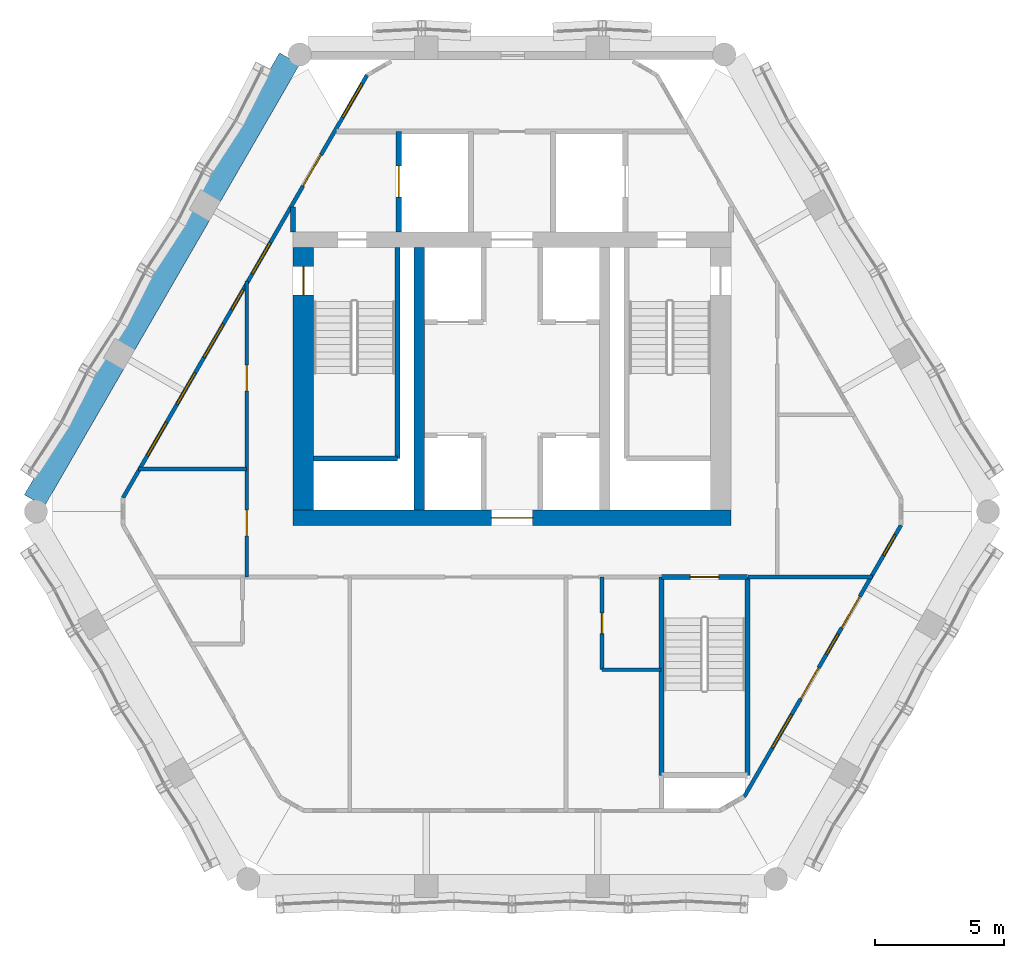
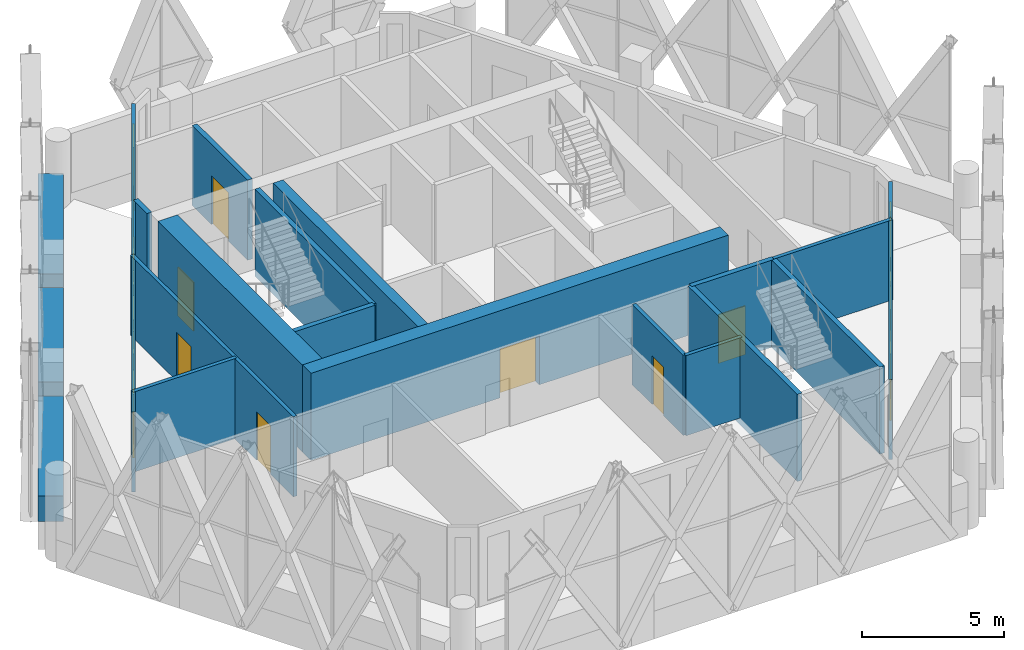
# One storey, part 19 of 27: 20 walls, 10 doors, 9 windows, 19 openings.
"""IFC4 building model written with IfcOpenShell, lengths in metres."""

from ifc_helpers import new_model, si_unit, direction, frame, frame_2d, origin, place, context, subcontext, project, spatial, rectangle, extrude, material, layer, layer_set, type_object, element, fill, save


model = new_model("IFC4")

# Units and contexts
model_context = context("Model", 3, precision=1e-05, world=origin(), true_north=direction((0.0, 1.0)))
body_context = subcontext(model_context, "Body", "Model", "MODEL_VIEW")
ifc_project = project(units=[si_unit("LENGTHUNIT", "METRE"), si_unit("AREAUNIT", "SQUARE_METRE"), si_unit("VOLUMEUNIT", "CUBIC_METRE"), si_unit("PLANEANGLEUNIT", "RADIAN"), si_unit("MASSUNIT", "GRAM", prefix="KILO")], contexts=[model_context])

# Site, building, storey
site_placement = place(None, origin())
site = spatial("IfcSite", under=ifc_project, at=site_placement, CompositionType="ELEMENT")
building_placement = place(site_placement, origin())
building = spatial("IfcBuilding", under=site, at=building_placement, Name="Ostrander Bayou Hotel Tower", CompositionType="ELEMENT")
storey_placement = place(building_placement, frame((0.0, 0.0, 267.5)))
storey = spatial("IfcBuildingStorey", under=building, at=storey_placement, Name="L66", CompositionType="ELEMENT", Elevation=267.5)

# Wall, opening, door
ifc_material_1 = material(Name="Concrete f'c 60 MPa", Category="concrete")
ifc_layer_1 = layer(ifc_material_1, 0.60009765625)
ifc_layer_set_1 = layer_set([ifc_layer_1], Name="CW10 core wall 600 mm f'c 60 MPa")
wall_type_1 = type_object("IfcWallType", Name="CW10 core wall 600 mm f'c 60 MPa", PredefinedType="SHEAR", material=ifc_layer_set_1)
wall_1_placement = place(storey_placement, frame((-8.5, -1.39990234375, -0.300048828125), z_axis=(0.0, 0.0, 1.0), x_axis=(1.0, 0.0, 0.0)))
wall_1 = element("IfcWall", 1, at=wall_1_placement, inside=storey, type_object=wall_type_1, Name="CW10 L66 S", PredefinedType="SHEAR", context=body_context, shape_type="SweptSolid", body=[
    extrude(rectangle(XDim=17.0, YDim=0.60009765625, at=frame_2d((8.5, 0.0))), origin(), (0.0, 0.0, 1.0), 3.75),
])
opening_1_placement = place(wall_1_placement, frame((7.699951171875, 0.0, 0.0)))
opening_1 = element("IfcOpeningElement", 2, at=opening_1_placement, cuts=wall_1, Name="Opening T66-005", PredefinedType="OPENING", context=body_context, shape_type="SweptSolid", body=[
    extrude(rectangle(XDim=1.60009765625, YDim=2.10009765625, at=frame_2d((0.800048828125, 1.050048828125))), frame((0.0, 0.300048828125, 0.0), z_axis=(0.0, -1.0, 0.0), x_axis=(1.0, 0.0, 0.0)), (0.0, 0.0, 1.0), 0.60009765625),
])
ifc_material_2 = material(Name="Timber door leaf", Category="wood")
door_type_1 = type_object("IfcDoorType", Name="D13 double door 1600 x 2100 mm, 1 hour", OperationType="SINGLE_SWING_LEFT", PredefinedType="DOOR", material=ifc_material_2)
door_1_placement = place(opening_1_placement, origin())
door_1 = element("IfcDoor", 3, at=door_1_placement, inside=storey, type_object=door_type_1, Name="dr:L66:005", OperationType="DOUBLE_DOOR_SINGLE_SWING", OverallHeight=2.10009765625, OverallWidth=1.60009765625, PredefinedType="DOOR", context=body_context, shape_type="SweptSolid", body=[
    extrude(rectangle(XDim=1.60009765625, YDim=2.10009765625, at=frame_2d((0.800048828125, 1.050048828125))), frame((0.0, 0.02490234375, 0.0), z_axis=(0.0, -1.0, 0.0), x_axis=(1.0, 0.0, 0.0)), (0.0, 0.0, 1.0), 0.050048828125),
])
fill(opening_1, door_1)

ifc_material_3 = material(Name="Concrete f'c 60 MPa", Category="concrete")
ifc_layer_2 = layer(ifc_material_3, 0.800048828125)
ifc_layer_set_2 = layer_set([ifc_layer_2], Name="CW11 core spine wall 800 mm f'c 60 MPa")
wall_type_2 = type_object("IfcWallType", Name="CW11 core spine wall 800 mm f'c 60 MPa", PredefinedType="SHEAR", material=ifc_layer_set_2)
wall_2_placement = place(storey_placement, frame((-8.10009765625, -1.10009765625, -0.300048828125), z_axis=(0.0, 0.0, 1.0), x_axis=(0.0, 1.0, 0.0)))
wall_2 = element("IfcWall", 4, at=wall_2_placement, inside=storey, type_object=wall_type_2, Name="CW11 L66 W", PredefinedType="SHEAR", context=body_context, shape_type="SweptSolid", body=[
    extrude(rectangle(XDim=10.2001953125, YDim=0.800048828125, at=frame_2d((5.10009765625, 0.0))), origin(), (0.0, 0.0, 1.0), 3.75),
])
opening_2_placement = place(wall_2_placement, frame((8.35009765625, 0.0, 0.0)))
opening_2 = element("IfcOpeningElement", 5, at=opening_2_placement, cuts=wall_2, Name="Opening T66-008", PredefinedType="OPENING", context=body_context, shape_type="SweptSolid", body=[
    extrude(rectangle(XDim=1.10009765625, YDim=2.10009765625, at=frame_2d((0.550048828125, 1.050048828125))), frame((0.0, 0.39990234375, 0.0), z_axis=(0.0, -1.0, 0.0), x_axis=(1.0, 0.0, 0.0)), (0.0, 0.0, 1.0), 0.800048828125),
])
ifc_material_4 = material(Name="Timber door leaf", Category="wood")
door_type_2 = type_object("IfcDoorType", Name="D5 stair door 1100 x 2100 mm, 90 minute", OperationType="SINGLE_SWING_LEFT", PredefinedType="DOOR", material=ifc_material_4)
door_2_placement = place(opening_2_placement, origin())
door_2 = element("IfcDoor", 6, at=door_2_placement, inside=storey, type_object=door_type_2, Name="dr:L66:008", OperationType="SINGLE_SWING_RIGHT", OverallHeight=2.10009765625, OverallWidth=1.10009765625, PredefinedType="DOOR", context=body_context, shape_type="SweptSolid", body=[
    extrude(rectangle(XDim=1.10009765625, YDim=2.10009765625, at=frame_2d((0.550048828125, 1.050048828125))), frame((0.0, 0.02490234375, 0.0), z_axis=(0.0, -1.0, 0.0), x_axis=(1.0, 0.0, 0.0)), (0.0, 0.0, 1.0), 0.050048828125),
])
fill(opening_2, door_2)

# Wall
ifc_material_5 = material(Name="Concrete f'c 60 MPa", Category="concrete")
ifc_layer_3 = layer(ifc_material_5, 0.39990234375)
ifc_layer_set_3 = layer_set([ifc_layer_3], Name="CW12 core bank wall 400 mm f'c 60 MPa")
wall_type_3 = type_object("IfcWallType", Name="CW12 core bank wall 400 mm f'c 60 MPa", PredefinedType="SHEAR", material=ifc_layer_set_3)
wall_3_placement = place(storey_placement, frame((-3.60009765625, -1.10009765625, -0.300048828125), z_axis=(0.0, 0.0, 1.0), x_axis=(0.0, 1.0, 0.0)))
element("IfcWall", 7, at=wall_3_placement, inside=storey, type_object=wall_type_3, Name="CW12 L66 CW", PredefinedType="SHEAR", context=body_context, shape_type="SweptSolid", body=[
    extrude(rectangle(XDim=10.2001953125, YDim=0.39990234375, at=frame_2d((5.10009765625, 0.0))), origin(), (0.0, 0.0, 1.0), 3.75),
])

# Wall, openings, door, windows
ifc_material_6 = material(Name="Aluminium framed insulated wall", Category="aluminium")
ifc_layer_4 = layer(ifc_material_6, 0.14990234375)
ifc_layer_set_4 = layer_set([ifc_layer_4], Name="GW1 glass-line wall 150 mm")
wall_type_4 = type_object("IfcWallType", Name="GW1 glass-line wall 150 mm", PredefinedType="SOLIDWALL", material=ifc_layer_set_4)
wall_4_placement = place(storey_placement, frame((-5.6259765625, 15.79248046875, 0.0), z_axis=(0.0, 0.0, 1.0), x_axis=(-0.499998195608, -0.866026445548, 0.0)))
wall_4 = element("IfcWall", 8, at=wall_4_placement, inside=storey, type_object=wall_type_4, Name="GW1 L66 NW 1", PredefinedType="SOLIDWALL", context=body_context, shape_type="SweptSolid", body=[
    extrude(rectangle(XDim=18.9560546875, YDim=0.14990234375, at=frame_2d((9.47802734375, 0.0))), origin(), (0.0, 0.0, 1.0), 3.449951171875),
])
opening_3_placement = place(wall_4_placement, frame((3.577392578125, 0.0, 0.0)))
opening_3 = element("IfcOpeningElement", 9, at=opening_3_placement, cuts=wall_4, Name="Opening T66-800", PredefinedType="OPENING", context=body_context, shape_type="SweptSolid", body=[
    extrude(rectangle(XDim=1.39990234375, YDim=2.39990234375, at=frame_2d((0.699951171875, 1.199951171875))), frame((0.0, 0.074951171875, 0.0), z_axis=(0.0, -1.0, 0.0), x_axis=(1.0, 0.0, 0.0)), (0.0, 0.0, 1.0), 0.14990234375),
])
opening_4_placement = place(wall_4_placement, frame((9.6201171875, 0.0, 0.14990234375)))
opening_4 = element("IfcOpeningElement", 10, at=opening_4_placement, cuts=wall_4, Name="Opening W18", PredefinedType="OPENING", context=body_context, shape_type="SweptSolid", body=[
    extrude(rectangle(XDim=0.89990234375, YDim=2.85009765625, at=frame_2d((0.449951171875, 1.425048828125))), frame((0.0, 0.074951171875, 0.0), z_axis=(0.0, -1.0, 0.0), x_axis=(1.0, 0.0, 0.0)), (0.0, 0.0, 1.0), 0.14990234375),
])
opening_5_placement = place(wall_4_placement, frame((7.52001953125, 0.0, 0.14990234375)))
opening_5 = element("IfcOpeningElement", 11, at=opening_5_placement, cuts=wall_4, Name="Opening W14", PredefinedType="OPENING", context=body_context, shape_type="SweptSolid", body=[
    extrude(rectangle(XDim=1.39990234375, YDim=2.85009765625, at=frame_2d((0.699951171875, 1.425048828125))), frame((0.0, 0.074951171875, 0.0), z_axis=(0.0, -1.0, 0.0), x_axis=(1.0, 0.0, 0.0)), (0.0, 0.0, 1.0), 0.14990234375),
])
opening_6_placement = place(wall_4_placement, frame((11.163818359375, 0.0, 0.14990234375)))
opening_6 = element("IfcOpeningElement", 12, at=opening_6_placement, cuts=wall_4, Name="Opening W4", PredefinedType="OPENING", context=body_context, shape_type="SweptSolid", body=[
    extrude(rectangle(XDim=1.5, YDim=2.85009765625, at=frame_2d((0.75, 1.425048828125))), frame((0.0, 0.074951171875, 0.0), z_axis=(0.0, -1.0, 0.0), x_axis=(1.0, 0.0, 0.0)), (0.0, 0.0, 1.0), 0.14990234375),
])
opening_7_placement = place(wall_4_placement, frame((13.36376953125, 0.0, 0.14990234375)))
opening_7 = element("IfcOpeningElement", 13, at=opening_7_placement, cuts=wall_4, Name="Opening W14", PredefinedType="OPENING", context=body_context, shape_type="SweptSolid", body=[
    extrude(rectangle(XDim=1.39990234375, YDim=2.85009765625, at=frame_2d((0.699951171875, 1.425048828125))), frame((0.0, 0.074951171875, 0.0), z_axis=(0.0, -1.0, 0.0), x_axis=(1.0, 0.0, 0.0)), (0.0, 0.0, 1.0), 0.14990234375),
])
opening_8_placement = place(wall_4_placement, frame((0.39404296875, 0.0, 0.14990234375)))
opening_8 = element("IfcOpeningElement", 14, at=opening_8_placement, cuts=wall_4, Name="Opening W4", PredefinedType="OPENING", context=body_context, shape_type="SweptSolid", body=[
    extrude(rectangle(XDim=1.5, YDim=2.72998046875, at=frame_2d((0.75, 1.364990234375))), frame((0.0, 0.074951171875, 0.0), z_axis=(0.0, -1.0, 0.0), x_axis=(1.0, 0.0, 0.0)), (0.0, 0.0, 1.0), 0.14990234375),
])
opening_9_placement = place(wall_4_placement, frame((15.573974609375, 0.0, 0.14990234375)))
opening_9 = element("IfcOpeningElement", 15, at=opening_9_placement, cuts=wall_4, Name="Opening W4", PredefinedType="OPENING", context=body_context, shape_type="SweptSolid", body=[
    extrude(rectangle(XDim=1.5, YDim=2.72998046875, at=frame_2d((0.75, 1.364990234375))), frame((0.0, 0.074951171875, 0.0), z_axis=(0.0, -1.0, 0.0), x_axis=(1.0, 0.0, 0.0)), (0.0, 0.0, 1.0), 0.14990234375),
])
ifc_material_7 = material(Name="Aluminium and clear glass", Category="aluminium")
door_type_3 = type_object("IfcDoorType", Name="SD4 sliding glass door 1400 mm, zone 4", OperationType="SLIDING_TO_LEFT", PredefinedType="DOOR", material=ifc_material_7)
door_3_placement = place(opening_3_placement, origin())
door_3 = element("IfcDoor", 16, at=door_3_placement, inside=storey, type_object=door_type_3, Name="SD4 L66 NW 1", OperationType="SLIDING_TO_LEFT", OverallHeight=2.39990234375, OverallWidth=1.39990234375, PredefinedType="DOOR", context=body_context, shape_type="SweptSolid", body=[
    extrude(rectangle(XDim=1.39990234375, YDim=2.39990234375, at=frame_2d((0.699951171875, 1.199951171875))), frame((0.0, 0.02490234375, 0.0), z_axis=(0.0, -1.0, 0.0), x_axis=(1.0, 0.0, 0.0)), (0.0, 0.0, 1.0), 0.050048828125),
])
fill(opening_3, door_3)
ifc_material_8 = material(Name="Aluminium and clear glass", Category="aluminium")
window_type_1 = type_object("IfcWindowType", Name="W14 fixed window 1400 mm, bath bay, zone 4", PartitioningType="SINGLE_PANEL", PredefinedType="WINDOW", material=ifc_material_8)
window_1_placement = place(opening_5_placement, origin())
window_1 = element("IfcWindow", 17, at=window_1_placement, inside=storey, type_object=window_type_1, Name="W14 L66 NW 2", OverallHeight=2.85009765625, OverallWidth=1.39990234375, PartitioningType="SINGLE_PANEL", PredefinedType="WINDOW", context=body_context, shape_type="SweptSolid", body=[
    extrude(rectangle(XDim=1.39990234375, YDim=2.85009765625, at=frame_2d((0.699951171875, 1.425048828125))), frame((0.0, 0.030029296875, 0.0), z_axis=(0.0, -1.0, 0.0), x_axis=(1.0, 0.0, 0.0)), (0.0, 0.0, 1.0), 0.06005859375),
])
fill(opening_5, window_1)
window_2_placement = place(opening_7_placement, origin())
window_2 = element("IfcWindow", 18, at=window_2_placement, inside=storey, type_object=window_type_1, Name="W14 L66 NW 3", OverallHeight=2.85009765625, OverallWidth=1.39990234375, PartitioningType="SINGLE_PANEL", PredefinedType="WINDOW", context=body_context, shape_type="SweptSolid", body=[
    extrude(rectangle(XDim=1.39990234375, YDim=2.85009765625, at=frame_2d((0.699951171875, 1.425048828125))), frame((0.0, 0.030029296875, 0.0), z_axis=(0.0, -1.0, 0.0), x_axis=(1.0, 0.0, 0.0)), (0.0, 0.0, 1.0), 0.06005859375),
])
fill(opening_7, window_2)
ifc_material_9 = material(Name="Aluminium and clear glass", Category="aluminium")
window_type_2 = type_object("IfcWindowType", Name="W18 window 900 mm, zone 4", PartitioningType="SINGLE_PANEL", PredefinedType="WINDOW", material=ifc_material_9)
window_3_placement = place(opening_4_placement, origin())
window_3 = element("IfcWindow", 19, at=window_3_placement, inside=storey, type_object=window_type_2, Name="W18 L66 NW 2", OverallHeight=2.85009765625, OverallWidth=0.89990234375, PartitioningType="SINGLE_PANEL", PredefinedType="WINDOW", context=body_context, shape_type="SweptSolid", body=[
    extrude(rectangle(XDim=0.89990234375, YDim=2.85009765625, at=frame_2d((0.449951171875, 1.425048828125))), frame((0.0, 0.030029296875, 0.0), z_axis=(0.0, -1.0, 0.0), x_axis=(1.0, 0.0, 0.0)), (0.0, 0.0, 1.0), 0.06005859375),
])
fill(opening_4, window_3)
ifc_material_10 = material(Name="Aluminium and clear glass", Category="aluminium")
window_type_3 = type_object("IfcWindowType", Name="W4 fixed window 1500 mm, zone 4", PartitioningType="SINGLE_PANEL", PredefinedType="WINDOW", material=ifc_material_10)
window_4_placement = place(opening_6_placement, origin())
window_4 = element("IfcWindow", 20, at=window_4_placement, inside=storey, type_object=window_type_3, Name="W4 L66 NW 3", OverallHeight=2.85009765625, OverallWidth=1.5, PartitioningType="SINGLE_PANEL", PredefinedType="WINDOW", context=body_context, shape_type="SweptSolid", body=[
    extrude(rectangle(XDim=1.5, YDim=2.85009765625, at=frame_2d((0.75, 1.425048828125))), frame((0.0, 0.030029296875, 0.0), z_axis=(0.0, -1.0, 0.0), x_axis=(1.0, 0.0, 0.0)), (0.0, 0.0, 1.0), 0.06005859375),
])
fill(opening_6, window_4)
window_5_placement = place(opening_8_placement, origin())
window_5 = element("IfcWindow", 21, at=window_5_placement, inside=storey, type_object=window_type_3, Name="W4 L66 NW E11", OverallHeight=2.72998046875, OverallWidth=1.5, PartitioningType="SINGLE_PANEL", PredefinedType="WINDOW", context=body_context, shape_type="SweptSolid", body=[
    extrude(rectangle(XDim=1.5, YDim=2.72998046875, at=frame_2d((0.75, 1.364990234375))), frame((0.0, 0.030029296875, 0.0), z_axis=(0.0, -1.0, 0.0), x_axis=(1.0, 0.0, 0.0)), (0.0, 0.0, 1.0), 0.06005859375),
])
fill(opening_8, window_5)
window_6_placement = place(opening_9_placement, origin())
window_6 = element("IfcWindow", 22, at=window_6_placement, inside=storey, type_object=window_type_3, Name="W4 L66 NW E21", OverallHeight=2.72998046875, OverallWidth=1.5, PartitioningType="SINGLE_PANEL", PredefinedType="WINDOW", context=body_context, shape_type="SweptSolid", body=[
    extrude(rectangle(XDim=1.5, YDim=2.72998046875, at=frame_2d((0.75, 1.364990234375))), frame((0.0, 0.030029296875, 0.0), z_axis=(0.0, -1.0, 0.0), x_axis=(1.0, 0.0, 0.0)), (0.0, 0.0, 1.0), 0.06005859375),
])
fill(opening_9, window_6)

# Wall, openings, doors, windows
wall_5_placement = place(storey_placement, frame((9.0146484375, -12.236083984375, 0.0), z_axis=(0.0, 0.0, 1.0), x_axis=(0.499998361514, 0.866026349763, 0.0)))
wall_5 = element("IfcWall", 23, at=wall_5_placement, inside=storey, type_object=wall_type_4, Name="GW1 L66 SE 1", PredefinedType="SOLIDWALL", context=body_context, shape_type="SweptSolid", body=[
    extrude(rectangle(XDim=12.1787109375, YDim=0.14990234375, at=frame_2d((6.08935546875, 0.0))), origin(), (0.0, 0.0, 1.0), 3.449951171875),
])
opening_10_placement = place(wall_5_placement, frame((2.189453125, 0.0, 0.14990234375)))
opening_10 = element("IfcOpeningElement", 24, at=opening_10_placement, cuts=wall_5, Name="Opening W4", PredefinedType="OPENING", context=body_context, shape_type="SweptSolid", body=[
    extrude(rectangle(XDim=1.5, YDim=2.85009765625, at=frame_2d((0.75, 1.425048828125))), frame((0.0, 0.074951171875, 0.0), z_axis=(0.0, -1.0, 0.0), x_axis=(1.0, 0.0, 0.0)), (0.0, 0.0, 1.0), 0.14990234375),
])
opening_11_placement = place(wall_5_placement, frame((4.389404296875, 0.0, 0.0)))
opening_11 = element("IfcOpeningElement", 25, at=opening_11_placement, cuts=wall_5, Name="Opening T66-803", PredefinedType="OPENING", context=body_context, shape_type="SweptSolid", body=[
    extrude(rectangle(XDim=1.39990234375, YDim=2.39990234375, at=frame_2d((0.699951171875, 1.199951171875))), frame((0.0, 0.074951171875, 0.0), z_axis=(0.0, -1.0, 0.0), x_axis=(1.0, 0.0, 0.0)), (0.0, 0.0, 1.0), 0.14990234375),
])
opening_12_placement = place(wall_5_placement, frame((6.389404296875, 0.0, 0.14990234375)))
opening_12 = element("IfcOpeningElement", 26, at=opening_12_placement, cuts=wall_5, Name="Opening W18", PredefinedType="OPENING", context=body_context, shape_type="SweptSolid", body=[
    extrude(rectangle(XDim=0.89990234375, YDim=2.85009765625, at=frame_2d((0.449951171875, 1.425048828125))), frame((0.0, 0.074951171875, 0.0), z_axis=(0.0, -1.0, 0.0), x_axis=(1.0, 0.0, 0.0)), (0.0, 0.0, 1.0), 0.14990234375),
])
opening_13_placement = place(wall_5_placement, frame((7.58251953125, 0.0, 0.0)))
opening_13 = element("IfcOpeningElement", 27, at=opening_13_placement, cuts=wall_5, Name="Opening T66-804", PredefinedType="OPENING", context=body_context, shape_type="SweptSolid", body=[
    extrude(rectangle(XDim=1.39990234375, YDim=2.39990234375, at=frame_2d((0.699951171875, 1.199951171875))), frame((0.0, 0.074951171875, 0.0), z_axis=(0.0, -1.0, 0.0), x_axis=(1.0, 0.0, 0.0)), (0.0, 0.0, 1.0), 0.14990234375),
])
opening_14_placement = place(wall_5_placement, frame((10.833984375, 0.0, 0.14990234375)))
opening_14 = element("IfcOpeningElement", 28, at=opening_14_placement, cuts=wall_5, Name="Opening W18", PredefinedType="OPENING", context=body_context, shape_type="SweptSolid", body=[
    extrude(rectangle(XDim=0.89990234375, YDim=2.72998046875, at=frame_2d((0.449951171875, 1.364990234375))), frame((0.0, 0.074951171875, 0.0), z_axis=(0.0, -1.0, 0.0), x_axis=(1.0, 0.0, 0.0)), (0.0, 0.0, 1.0), 0.14990234375),
])
door_4_placement = place(opening_11_placement, origin())
door_4 = element("IfcDoor", 29, at=door_4_placement, inside=storey, type_object=door_type_3, Name="SD4 L66 SE 1", OperationType="SLIDING_TO_LEFT", OverallHeight=2.39990234375, OverallWidth=1.39990234375, PredefinedType="DOOR", context=body_context, shape_type="SweptSolid", body=[
    extrude(rectangle(XDim=1.39990234375, YDim=2.39990234375, at=frame_2d((0.699951171875, 1.199951171875))), frame((0.0, 0.02490234375, 0.0), z_axis=(0.0, -1.0, 0.0), x_axis=(1.0, 0.0, 0.0)), (0.0, 0.0, 1.0), 0.050048828125),
])
fill(opening_11, door_4)
door_5_placement = place(opening_13_placement, origin())
door_5 = element("IfcDoor", 30, at=door_5_placement, inside=storey, type_object=door_type_3, Name="SD4 L66 SE 2", OperationType="SLIDING_TO_RIGHT", OverallHeight=2.39990234375, OverallWidth=1.39990234375, PredefinedType="DOOR", context=body_context, shape_type="SweptSolid", body=[
    extrude(rectangle(XDim=1.39990234375, YDim=2.39990234375, at=frame_2d((0.699951171875, 1.199951171875))), frame((0.0, 0.02490234375, 0.0), z_axis=(0.0, -1.0, 0.0), x_axis=(1.0, 0.0, 0.0)), (0.0, 0.0, 1.0), 0.050048828125),
])
fill(opening_13, door_5)
window_7_placement = place(opening_12_placement, origin())
window_7 = element("IfcWindow", 31, at=window_7_placement, inside=storey, type_object=window_type_2, Name="W18 L66 SE 2", OverallHeight=2.85009765625, OverallWidth=0.89990234375, PartitioningType="SINGLE_PANEL", PredefinedType="WINDOW", context=body_context, shape_type="SweptSolid", body=[
    extrude(rectangle(XDim=0.89990234375, YDim=2.85009765625, at=frame_2d((0.449951171875, 1.425048828125))), frame((0.0, 0.030029296875, 0.0), z_axis=(0.0, -1.0, 0.0), x_axis=(1.0, 0.0, 0.0)), (0.0, 0.0, 1.0), 0.06005859375),
])
fill(opening_12, window_7)
window_8_placement = place(opening_14_placement, origin())
window_8 = element("IfcWindow", 32, at=window_8_placement, inside=storey, type_object=window_type_2, Name="W18 L66 SE E21", OverallHeight=2.72998046875, OverallWidth=0.89990234375, PartitioningType="SINGLE_PANEL", PredefinedType="WINDOW", context=body_context, shape_type="SweptSolid", body=[
    extrude(rectangle(XDim=0.89990234375, YDim=2.72998046875, at=frame_2d((0.449951171875, 1.364990234375))), frame((0.0, 0.030029296875, 0.0), z_axis=(0.0, -1.0, 0.0), x_axis=(1.0, 0.0, 0.0)), (0.0, 0.0, 1.0), 0.06005859375),
])
fill(opening_14, window_8)
window_9_placement = place(opening_10_placement, origin())
window_9 = element("IfcWindow", 33, at=window_9_placement, inside=storey, type_object=window_type_3, Name="W4 L66 SE 1", OverallHeight=2.85009765625, OverallWidth=1.5, PartitioningType="SINGLE_PANEL", PredefinedType="WINDOW", context=body_context, shape_type="SweptSolid", body=[
    extrude(rectangle(XDim=1.5, YDim=2.85009765625, at=frame_2d((0.75, 1.425048828125))), frame((0.0, 0.030029296875, 0.0), z_axis=(0.0, -1.0, 0.0), x_axis=(1.0, 0.0, 0.0)), (0.0, 0.0, 1.0), 0.06005859375),
])
fill(opening_10, window_9)

# Walls
ifc_material_11 = material(Name="Concrete f'c 40 MPa", Category="concrete")
ifc_layer_5 = layer(ifc_material_11, 0.89990234375)
ifc_layer_set_5 = layer_set([ifc_layer_5], Name="PA1 stone-faced parapet 900 mm")
wall_type_5 = type_object("IfcWallType", Name="PA1 stone-faced parapet 900 mm", PredefinedType="PARAPET", material=ifc_layer_set_5)
wall_6_placement = place(storey_placement, frame((-8.63671875, 16.427978515625, 0.0), z_axis=(0.0, 0.0, 1.0), x_axis=(-0.499984362083, -0.866034432152, 0.0)))
element("IfcWall", 34, at=wall_6_placement, inside=storey, type_object=wall_type_5, Name="PA1 L66 NW-1", PredefinedType="PARAPET", context=body_context, shape_type="SweptSolid", body=[
    extrude(rectangle(XDim=6.159423828125, YDim=0.89990234375, at=frame_2d((3.07958984375, 0.0))), origin(), (0.0, 0.0, 1.0), 1.10009765625),
])
wall_7_placement = place(storey_placement, frame((-12.13623046875, 10.366455078125, 0.0), z_axis=(0.0, 0.0, 1.0), x_axis=(-0.499997265274, -0.866026982673, 0.0)))
element("IfcWall", 35, at=wall_7_placement, inside=storey, type_object=wall_type_5, Name="PA1 L66 NW-2", PredefinedType="PARAPET", context=body_context, shape_type="SweptSolid", body=[
    extrude(rectangle(XDim=5.81884765625, YDim=0.89990234375, at=frame_2d((2.909423828125, 0.0))), origin(), (0.0, 0.0, 1.0), 1.10009765625),
])
wall_8_placement = place(storey_placement, frame((-15.4658203125, 4.599609375, 0.0), z_axis=(0.0, 0.0, 1.0), x_axis=(-0.499984362083, -0.866034432152, 0.0)))
element("IfcWall", 36, at=wall_8_placement, inside=storey, type_object=wall_type_5, Name="PA1 L66 NW-3", PredefinedType="PARAPET", context=body_context, shape_type="SweptSolid", body=[
    extrude(rectangle(XDim=6.159423828125, YDim=0.89990234375, at=frame_2d((3.07958984375, 0.0))), origin(), (0.0, 0.0, 1.0), 1.10009765625),
])
ifc_material_12 = material(Name="Masonry block", Category="masonry")
ifc_layer_6 = layer(ifc_material_12, 0.199951171875)
ifc_layer_set_6 = layer_set([ifc_layer_6], Name="PT5 stair enclosure wall 200 mm masonry, 2 hour")
wall_type_6 = type_object("IfcWallType", Name="PT5 stair enclosure wall 200 mm masonry, 2 hour", PredefinedType="PARTITIONING", material=ifc_layer_set_6)
wall_9_placement = place(storey_placement, frame((-8.5, 9.699951171875, 0.0), z_axis=(0.0, 0.0, 1.0), x_axis=(0.0, 1.0, 0.0)))
element("IfcWall", 37, at=wall_9_placement, inside=storey, type_object=wall_type_6, Name="cs:L66:019", PredefinedType="PARTITIONING", context=body_context, shape_type="SweptSolid", body=[
    extrude(rectangle(XDim=0.964599609375, YDim=0.199951171875, at=frame_2d((0.482421875, 0.0))), origin(), (0.0, 0.0, 1.0), 3.449951171875),
])

# Wall, opening, door
wall_10_placement = place(storey_placement, frame((-4.39990234375, 9.699951171875, 0.0), z_axis=(0.0, 0.0, 1.0), x_axis=(0.0, 1.0, 0.0)))
wall_10 = element("IfcWall", 38, at=wall_10_placement, inside=storey, type_object=wall_type_6, Name="cs:L66:021", PredefinedType="PARTITIONING", context=body_context, shape_type="SweptSolid", body=[
    extrude(rectangle(XDim=3.900146484375, YDim=0.199951171875, at=frame_2d((1.9501953125, 0.0))), origin(), (0.0, 0.0, 1.0), 3.449951171875),
])
opening_15_placement = place(wall_10_placement, frame((1.35009765625, 0.0, 0.0)))
opening_15 = element("IfcOpeningElement", 39, at=opening_15_placement, cuts=wall_10, Name="Opening T66-012", PredefinedType="OPENING", context=body_context, shape_type="SweptSolid", body=[
    extrude(rectangle(XDim=1.199951171875, YDim=2.10009765625, at=frame_2d((0.60009765625, 1.050048828125))), frame((0.0, 0.10009765625, 0.0), z_axis=(0.0, -1.0, 0.0), x_axis=(1.0, 0.0, 0.0)), (0.0, 0.0, 1.0), 0.199951171875),
])
ifc_material_13 = material(Name="Stainless steel sliding door", Category="steel")
door_type_4 = type_object("IfcDoorType", Name="LD1 lift landing door 1200 x 2100 mm", OperationType="SINGLE_SWING_LEFT", PredefinedType="DOOR", material=ifc_material_13)
door_6_placement = place(opening_15_placement, origin())
door_6 = element("IfcDoor", 40, at=door_6_placement, inside=storey, type_object=door_type_4, Name="dr:L66:012", OperationType="SLIDING_TO_LEFT", OverallHeight=2.10009765625, OverallWidth=1.199951171875, PredefinedType="DOOR", context=body_context, shape_type="SweptSolid", body=[
    extrude(rectangle(XDim=1.199951171875, YDim=2.10009765625, at=frame_2d((0.60009765625, 1.050048828125))), frame((0.0, 0.02490234375, 0.0), z_axis=(0.0, -1.0, 0.0), x_axis=(1.0, 0.0, 0.0)), (0.0, 0.0, 1.0), 0.050048828125),
])
fill(opening_15, door_6)

# Walls
ifc_material_14 = material(Name="Gypsum board partition", Category="finish")
ifc_layer_7 = layer(ifc_material_14, 0.14990234375)
ifc_layer_set_7 = layer_set([ifc_layer_7], Name="PT8 service band wall 150 mm, 1 hour")
wall_type_7 = type_object("IfcWallType", Name="PT8 service band wall 150 mm, 1 hour", PredefinedType="PARTITIONING", material=ifc_layer_set_7)
wall_11_placement = place(storey_placement, frame((3.5, -7.300048828125, 0.0), z_axis=(0.0, 0.0, 1.0), x_axis=(1.0, 0.0, 0.0)))
element("IfcWall", 41, at=wall_11_placement, inside=storey, type_object=wall_type_7, Name="gw:L66:001", PredefinedType="PARTITIONING", context=body_context, shape_type="SweptSolid", body=[
    extrude(rectangle(XDim=2.2900390625, YDim=0.14990234375, at=frame_2d((1.14501953125, 0.0))), origin(), (0.0, 0.0, 1.0), 3.449951171875),
])
wall_12_placement = place(storey_placement, frame((9.159912109375, -3.699951171875, 0.0), z_axis=(0.0, 0.0, 1.0), x_axis=(1.0, 0.0, 0.0)))
element("IfcWall", 42, at=wall_12_placement, inside=storey, type_object=wall_type_7, Name="gw:L66:004", PredefinedType="PARTITIONING", context=body_context, shape_type="SweptSolid", body=[
    extrude(rectangle(XDim=4.835205078125, YDim=0.14990234375, at=frame_2d((2.41748046875, 0.0))), origin(), (0.0, 0.0, 1.0), 3.449951171875),
])
wall_13_placement = place(storey_placement, frame((-14.507080078125, 0.5, 0.0), z_axis=(0.0, 0.0, 1.0), x_axis=(1.0, 0.0, 0.0)))
element("IfcWall", 43, at=wall_13_placement, inside=storey, type_object=wall_type_7, Name="gw:L66:005", PredefinedType="PARTITIONING", context=body_context, shape_type="SweptSolid", body=[
    extrude(rectangle(XDim=4.20703125, YDim=0.14990234375, at=frame_2d((2.103515625, 0.0))), origin(), (0.0, 0.0, 1.0), 3.449951171875),
])

# Wall, opening, door
wall_14_placement = place(storey_placement, frame((3.5, -7.300048828125, 0.0), z_axis=(0.0, 0.0, 1.0), x_axis=(0.0, 1.0, 0.0)))
wall_14 = element("IfcWall", 44, at=wall_14_placement, inside=storey, type_object=wall_type_7, Name="gw:L66:009", PredefinedType="PARTITIONING", context=body_context, shape_type="SweptSolid", body=[
    extrude(rectangle(XDim=3.60009765625, YDim=0.14990234375, at=frame_2d((1.800048828125, 0.0))), origin(), (0.0, 0.0, 1.0), 3.449951171875),
])
opening_16_placement = place(wall_14_placement, frame((1.39990234375, 0.0, 0.0)))
opening_16 = element("IfcOpeningElement", 45, at=opening_16_placement, cuts=wall_14, Name="Opening T66-404", PredefinedType="OPENING", context=body_context, shape_type="SweptSolid", body=[
    extrude(rectangle(XDim=0.800048828125, YDim=2.10009765625, at=frame_2d((0.39990234375, 1.050048828125))), frame((0.0, 0.074951171875, 0.0), z_axis=(0.0, -1.0, 0.0), x_axis=(1.0, 0.0, 0.0)), (0.0, 0.0, 1.0), 0.14990234375),
])
ifc_material_15 = material(Name="Timber door leaf", Category="wood")
door_type_5 = type_object("IfcDoorType", Name="D2 bathroom door 800 x 2100 mm", OperationType="SINGLE_SWING_LEFT", PredefinedType="DOOR", material=ifc_material_15)
door_7_placement = place(opening_16_placement, origin())
door_7 = element("IfcDoor", 46, at=door_7_placement, inside=storey, type_object=door_type_5, Name="dr:L66:404", OperationType="SINGLE_SWING_RIGHT", OverallHeight=2.10009765625, OverallWidth=0.800048828125, PredefinedType="DOOR", context=body_context, shape_type="SweptSolid", body=[
    extrude(rectangle(XDim=0.800048828125, YDim=2.10009765625, at=frame_2d((0.39990234375, 1.050048828125))), frame((0.0, 0.02490234375, 0.0), z_axis=(0.0, -1.0, 0.0), x_axis=(1.0, 0.0, 0.0)), (0.0, 0.0, 1.0), 0.050048828125),
])
fill(opening_16, door_7)

# Wall, openings, doors
wall_15_placement = place(storey_placement, frame((-10.300048828125, -3.699951171875, 0.0), z_axis=(0.0, 0.0, 1.0), x_axis=(0.0, 1.0, 0.0)))
wall_15 = element("IfcWall", 47, at=wall_15_placement, inside=storey, type_object=wall_type_7, Name="gw:L66:012", PredefinedType="PARTITIONING", context=body_context, shape_type="SweptSolid", body=[
    extrude(rectangle(XDim=11.487060546875, YDim=0.14990234375, at=frame_2d((5.74365234375, 0.0))), origin(), (0.0, 0.0, 1.0), 3.449951171875),
])
opening_17_placement = place(wall_15_placement, frame((1.60009765625, 0.0, 0.0)))
opening_17 = element("IfcOpeningElement", 48, at=opening_17_placement, cuts=wall_15, Name="Opening T66-405", PredefinedType="OPENING", context=body_context, shape_type="SweptSolid", body=[
    extrude(rectangle(XDim=1.0, YDim=2.10009765625, at=frame_2d((0.5, 1.050048828125))), frame((0.0, 0.074951171875, 0.0), z_axis=(0.0, -1.0, 0.0), x_axis=(1.0, 0.0, 0.0)), (0.0, 0.0, 1.0), 0.14990234375),
])
opening_18_placement = place(wall_15_placement, frame((7.221923828125, 0.0, 0.0)))
opening_18 = element("IfcOpeningElement", 49, at=opening_18_placement, cuts=wall_15, Name="Opening T66-406", PredefinedType="OPENING", context=body_context, shape_type="SweptSolid", body=[
    extrude(rectangle(XDim=1.0, YDim=2.10009765625, at=frame_2d((0.5, 1.050048828125))), frame((0.0, 0.074951171875, 0.0), z_axis=(0.0, -1.0, 0.0), x_axis=(1.0, 0.0, 0.0)), (0.0, 0.0, 1.0), 0.14990234375),
])
ifc_material_16 = material(Name="Timber door leaf", Category="wood")
door_type_6 = type_object("IfcDoorType", Name="D15 room door 1000 x 2100 mm", OperationType="SINGLE_SWING_LEFT", PredefinedType="DOOR", material=ifc_material_16)
door_8_placement = place(opening_17_placement, origin())
door_8 = element("IfcDoor", 50, at=door_8_placement, inside=storey, type_object=door_type_6, Name="dr:L66:405", OperationType="SINGLE_SWING_RIGHT", OverallHeight=2.10009765625, OverallWidth=1.0, PredefinedType="DOOR", context=body_context, shape_type="SweptSolid", body=[
    extrude(rectangle(XDim=1.0, YDim=2.10009765625, at=frame_2d((0.5, 1.050048828125))), frame((0.0, 0.02490234375, 0.0), z_axis=(0.0, -1.0, 0.0), x_axis=(1.0, 0.0, 0.0)), (0.0, 0.0, 1.0), 0.050048828125),
])
fill(opening_17, door_8)
ifc_material_17 = material(Name="Timber door leaf", Category="wood")
door_type_7 = type_object("IfcDoorType", Name="D9 service door 1000 x 2100 mm, 30 minute", OperationType="SINGLE_SWING_LEFT", PredefinedType="DOOR", material=ifc_material_17)
door_9_placement = place(opening_18_placement, origin())
door_9 = element("IfcDoor", 51, at=door_9_placement, inside=storey, type_object=door_type_7, Name="dr:L66:406", OperationType="SINGLE_SWING_LEFT", OverallHeight=2.10009765625, OverallWidth=1.0, PredefinedType="DOOR", context=body_context, shape_type="SweptSolid", body=[
    extrude(rectangle(XDim=1.0, YDim=2.10009765625, at=frame_2d((0.5, 1.050048828125))), frame((0.0, 0.02490234375, 0.0), z_axis=(0.0, -1.0, 0.0), x_axis=(1.0, 0.0, 0.0)), (0.0, 0.0, 1.0), 0.050048828125),
])
fill(opening_18, door_9)

# Walls
ifc_material_18 = material(Name="Concrete f'c 45 MPa", Category="concrete")
ifc_layer_8 = layer(ifc_material_18, 0.199951171875)
ifc_layer_set_8 = layer_set([ifc_layer_8], Name="SW5 stair enclosure wall 200 mm f'c 45 MPa")
wall_type_8 = type_object("IfcWallType", Name="SW5 stair enclosure wall 200 mm f'c 45 MPa", PredefinedType="SOLIDWALL", material=ifc_layer_set_8)
wall_16_placement = place(storey_placement, frame((-4.449951171875, 0.89990234375, -0.300048828125), z_axis=(0.0, 0.0, 1.0), x_axis=(0.0, 1.0, 0.0)))
element("IfcWall", 52, at=wall_16_placement, inside=storey, type_object=wall_type_8, Name="cs:L66:009", PredefinedType="SOLIDWALL", context=body_context, shape_type="SweptSolid", body=[
    extrude(rectangle(XDim=8.2001953125, YDim=0.199951171875, at=frame_2d((4.10009765625, 0.0))), origin(), (0.0, 0.0, 1.0), 3.75),
])
wall_17_placement = place(storey_placement, frame((-7.699951171875, 0.89990234375, -0.300048828125), z_axis=(0.0, 0.0, 1.0), x_axis=(1.0, 0.0, 0.0)))
element("IfcWall", 53, at=wall_17_placement, inside=storey, type_object=wall_type_8, Name="cs:L66:010", PredefinedType="SOLIDWALL", context=body_context, shape_type="SweptSolid", body=[
    extrude(rectangle(XDim=3.25, YDim=0.199951171875, at=frame_2d((1.625, 0.0))), origin(), (0.0, 0.0, 1.0), 3.75),
])

# Wall, opening, door
wall_18_placement = place(storey_placement, frame((5.800048828125, -3.699951171875, -0.300048828125), z_axis=(0.0, 0.0, 1.0), x_axis=(1.0, 0.0, 0.0)))
wall_18 = element("IfcWall", 54, at=wall_18_placement, inside=storey, type_object=wall_type_8, Name="cs:L66:013", PredefinedType="SOLIDWALL", context=body_context, shape_type="SweptSolid", body=[
    extrude(rectangle(XDim=3.349853515625, YDim=0.199951171875, at=frame_2d((1.6748046875, 0.0))), origin(), (0.0, 0.0, 1.0), 3.75),
])
opening_19_placement = place(wall_18_placement, frame((1.125, 0.0, 0.0)))
opening_19 = element("IfcOpeningElement", 55, at=opening_19_placement, cuts=wall_18, Name="Opening T66-011", PredefinedType="OPENING", context=body_context, shape_type="SweptSolid", body=[
    extrude(rectangle(XDim=1.10009765625, YDim=2.10009765625, at=frame_2d((0.550048828125, 1.050048828125))), frame((0.0, 0.10009765625, 0.0), z_axis=(0.0, -1.0, 0.0), x_axis=(1.0, 0.0, 0.0)), (0.0, 0.0, 1.0), 0.199951171875),
])
door_10_placement = place(opening_19_placement, origin())
door_10 = element("IfcDoor", 56, at=door_10_placement, inside=storey, type_object=door_type_2, Name="dr:L66:011", OperationType="SINGLE_SWING_LEFT", OverallHeight=2.10009765625, OverallWidth=1.10009765625, PredefinedType="DOOR", context=body_context, shape_type="SweptSolid", body=[
    extrude(rectangle(XDim=1.10009765625, YDim=2.10009765625, at=frame_2d((0.550048828125, 1.050048828125))), frame((0.0, 0.02490234375, 0.0), z_axis=(0.0, -1.0, 0.0), x_axis=(1.0, 0.0, 0.0)), (0.0, 0.0, 1.0), 0.050048828125),
])
fill(opening_19, door_10)

# Walls
for number, where, z_axis, x_axis, name in (
    (57, (5.800048828125, -3.699951171875, -0.300048828125), (0.0, 0.0, 1.0), (0.0, -1.0, 0.0), "cs:L66:014"),
    (58, (9.14990234375, -3.699951171875, -0.300048828125), (0.0, 0.0, 1.0), (0.0, -1.0, 0.0), "cs:L66:015"),
):
    element("IfcWall", number, at=place(storey_placement, frame(where, z_axis=z_axis, x_axis=x_axis)), inside=storey, type_object=wall_type_8, Name=name, PredefinedType="SOLIDWALL", context=body_context, shape_type="SweptSolid", body=[
        extrude(rectangle(XDim=7.699951171875, YDim=0.199951171875, at=frame_2d((3.85009765625, 0.0))), origin(), (0.0, 0.0, 1.0), 3.75),
    ])

save(model, "model.ifc")
